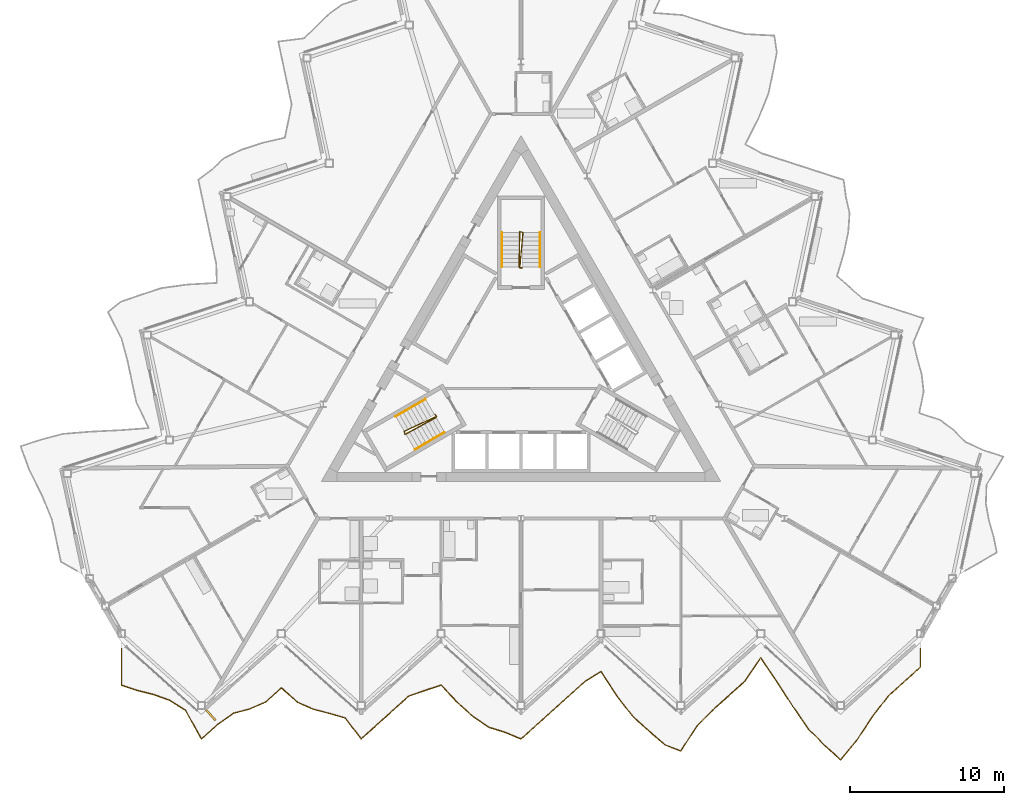
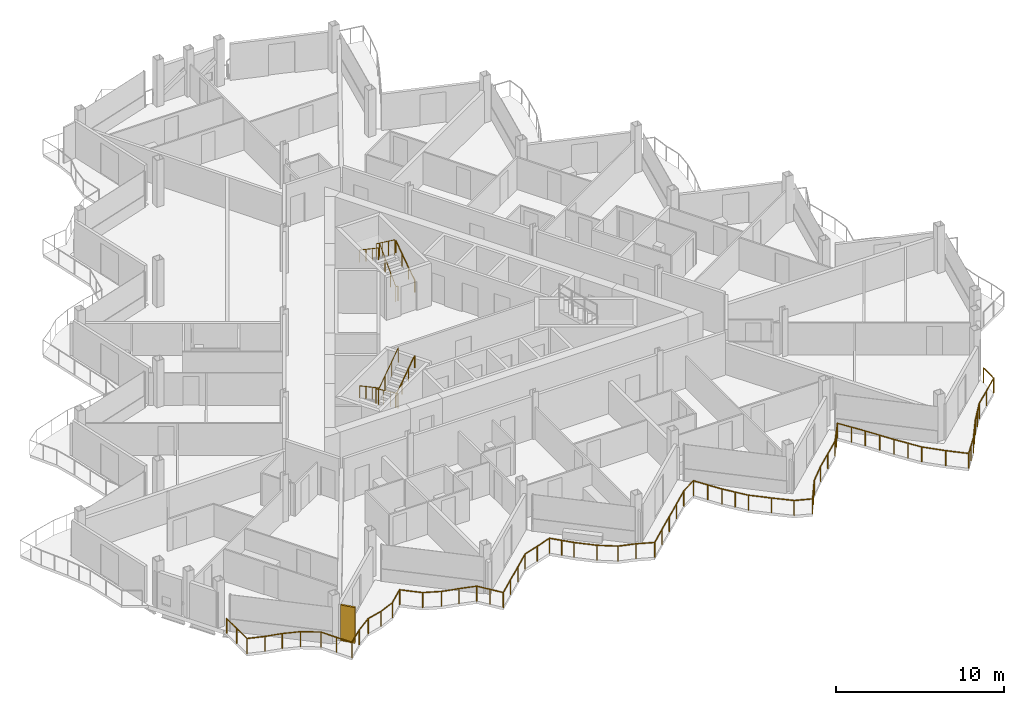
# One storey, part 22 of 26: 7 railings, 1 shading device.
"""IFC4 building model written with IfcOpenShell, lengths in metres."""

from ifc_helpers import new_model, si_unit, direction, frame, origin, origin_2d, place, context, subcontext, project, spatial, rectangle, circle, extrude, material, layer, layer_set, type_object, element, save


model = new_model("IFC4")

# Units and contexts
model_context = context("Model", 3, precision=1e-05, world=origin(), true_north=direction((0.0, 1.0)))
body_context = subcontext(model_context, "Body", "Model", "MODEL_VIEW")
ifc_project = project(units=[si_unit("LENGTHUNIT", "METRE"), si_unit("AREAUNIT", "SQUARE_METRE"), si_unit("VOLUMEUNIT", "CUBIC_METRE"), si_unit("PLANEANGLEUNIT", "RADIAN"), si_unit("MASSUNIT", "GRAM", prefix="KILO")], contexts=[model_context])

# Site, building, storey
site_placement = place(None, origin())
site = spatial("IfcSite", under=ifc_project, at=site_placement, CompositionType="ELEMENT")
building_placement = place(site_placement, origin())
building = spatial("IfcBuilding", under=site, at=building_placement, Name="Cormorant Prow Tower", CompositionType="ELEMENT")
storey_placement = place(building_placement, frame((0.0, 0.0, 374.60009765625)))
storey = spatial("IfcBuildingStorey", under=building, at=storey_placement, Name="L84", CompositionType="ELEMENT", Elevation=374.60009765625)

# Railings
ifc_material_1 = material(Name="Aluminium 6063-T6", Category="aluminium")
railing_type_1 = type_object("IfcRailingType", Name="Balcony guard 1100", PredefinedType="GUARDRAIL", material=ifc_material_1)
railing_1_placement = place(storey_placement, frame((-26.0, -18.363525390625, 0.0)))
element("IfcRailing", 1, at=railing_1_placement, inside=storey, type_object=railing_type_1, Name="Balcony guard S", PredefinedType="GUARDRAIL", context=body_context, shape_type="SweptSolid", body=[
    extrude(circle(Radius=0.02392578125, at=origin_2d()), frame((0.0, 0.0, 1.076171875), z_axis=(0.0, -1.0, 0.0), x_axis=(1.0, 0.0, 0.0)), (0.0, 0.0, 1.0), 2.40380859375),
    extrude(circle(Radius=0.02392578125, at=origin_2d()), frame((0.0, -2.40380859375, 1.076171875), z_axis=(0.949216711511, -0.314623003909, 0.0), x_axis=(0.314623003909, 0.949216711511, 0.0)), (0.0, 0.0, 1.0), 1.095703125),
    extrude(circle(Radius=0.02392578125, at=origin_2d()), frame((1.0400390625, -2.74853515625, 1.076171875), z_axis=(0.970463258891, -0.241248965062, 0.0), x_axis=(0.241248965062, 0.970463258891, 0.0)), (0.0, 0.0, 1.0), 1.07177734375),
    extrude(circle(Radius=0.02392578125, at=origin_2d()), frame((2.080078125, -3.007080078125, 1.076171875), z_axis=(0.941491643018, -0.337036327606, 0.0), x_axis=(0.337036327606, 0.941491643018, 0.0)), (0.0, 0.0, 1.0), 1.104736328125),
    extrude(circle(Radius=0.02392578125, at=origin_2d()), frame((3.1201171875, -3.37939453125, 1.076171875), z_axis=(0.847271053482, -0.531160768442, 0.0), x_axis=(0.531160768442, 0.847271053482, 0.0)), (0.0, 0.0, 1.0), 1.227294921875),
    extrude(circle(Radius=0.02392578125, at=origin_2d()), frame((4.159912109375, -4.03125, 1.076171875), z_axis=(0.48588501577, -0.874022740808, 0.0), x_axis=(0.874022740808, 0.48588501577, 0.0)), (0.0, 0.0, 1.0), 2.140625),
    extrude(circle(Radius=0.02392578125, at=origin_2d()), frame((5.199951171875, -5.902099609375, 1.076171875), z_axis=(0.743120643554, 0.66915746213, 0.0), x_axis=(-0.66915746213, 0.743120643554, 0.0)), (0.0, 0.0, 1.0), 1.399658203125),
    extrude(circle(Radius=0.02392578125, at=origin_2d()), frame((6.239990234375, -4.965576171875, 1.076171875), z_axis=(0.816160009133, 0.577825959518, 0.0), x_axis=(-0.577825959518, 0.816160009133, 0.0)), (0.0, 0.0, 1.0), 1.2744140625),
    extrude(circle(Radius=0.02392578125, at=origin_2d()), frame((7.280029296875, -4.229248046875, 1.076171875), z_axis=(0.967745006886, 0.251931740056, 0.0), x_axis=(-0.251931740056, 0.967745006886, 0.0)), (0.0, 0.0, 1.0), 1.07470703125),
    extrude(circle(Radius=0.02392578125, at=origin_2d()), frame((8.320068359375, -3.95849609375, 1.076171875), z_axis=(0.91708374588, 0.398694623796, 0.0), x_axis=(-0.398694623796, 0.91708374588, 0.0)), (0.0, 0.0, 1.0), 1.134033203125),
    extrude(circle(Radius=0.02392578125, at=origin_2d()), frame((9.360107421875, -3.50634765625, 1.076171875), z_axis=(0.743129279254, 0.669147871786, 0.0), x_axis=(-0.669147871786, 0.743129279254, 0.0)), (0.0, 0.0, 1.0), 1.399169921875),
    extrude(circle(Radius=0.02392578125, at=origin_2d()), frame((10.39990234375, -2.570068359375, 1.076171875), z_axis=(0.743207391022, -0.669061113749, 0.0), x_axis=(0.669061113749, 0.743207391022, 0.0)), (0.0, 0.0, 1.0), 1.3994140625),
    extrude(circle(Radius=0.02392578125, at=origin_2d()), frame((11.43994140625, -3.50634765625, 1.076171875), z_axis=(0.915584205274, -0.402126302363, 0.0), x_axis=(0.402126302363, 0.915584205274, 0.0)), (0.0, 0.0, 1.0), 1.135986328125),
    extrude(circle(Radius=0.02392578125, at=origin_2d()), frame((12.47998046875, -3.963134765625, 1.076171875), z_axis=(0.967578668894, -0.252569830941, 0.0), x_axis=(0.252569830941, 0.967578668894, 0.0)), (0.0, 0.0, 1.0), 1.074951171875),
    extrude(circle(Radius=0.02392578125, at=origin_2d()), frame((13.52001953125, -4.234619140625, 1.076171875), z_axis=(0.960994388174, -0.276567868521, 0.0), x_axis=(0.276567868521, 0.960994388174, 0.0)), (0.0, 0.0, 1.0), 1.082275390625),
    extrude(circle(Radius=0.02392578125, at=origin_2d()), frame((14.56005859375, -4.533935546875, 1.076171875), z_axis=(0.605169709373, -0.796096490922, 0.0), x_axis=(0.796096490922, 0.605169709373, 0.0)), (0.0, 0.0, 1.0), 1.718505859375),
    extrude(circle(Radius=0.02392578125, at=origin_2d()), frame((15.60009765625, -5.902099609375, 1.076171875), z_axis=(0.74304251841, 0.669244212403, 0.0), x_axis=(-0.669244212403, 0.74304251841, 0.0)), (0.0, 0.0, 1.0), 1.3994140625),
    extrude(circle(Radius=0.02392578125, at=origin_2d()), frame((16.639892578125, -4.965576171875, 1.076171875), z_axis=(0.743207391022, 0.669061113749, 0.0), x_axis=(-0.669061113749, 0.743207391022, 0.0)), (0.0, 0.0, 1.0), 1.3994140625),
    extrude(circle(Radius=0.02392578125, at=origin_2d()), frame((17.679931640625, -4.029296875, 1.076171875), z_axis=(0.743120643554, 0.66915746213, 0.0), x_axis=(-0.66915746213, 0.743120643554, 0.0)), (0.0, 0.0, 1.0), 1.399658203125),
    extrude(circle(Radius=0.02392578125, at=origin_2d()), frame((18.719970703125, -3.0927734375, 1.076171875), z_axis=(0.947879229776, 0.318629825596, 0.0), x_axis=(-0.318629825596, 0.947879229776, 0.0)), (0.0, 0.0, 1.0), 1.09716796875),
    extrude(circle(Radius=0.02392578125, at=origin_2d()), frame((19.760009765625, -2.7431640625, 1.076171875), z_axis=(0.949681709263, 0.313216620074, 0.0), x_axis=(-0.313216620074, 0.949681709263, 0.0)), (0.0, 0.0, 1.0), 1.09521484375),
    extrude(circle(Radius=0.02392578125, at=origin_2d()), frame((20.800048828125, -2.400146484375, 1.076171875), z_axis=(0.684983419518, -0.72855865583, 0.0), x_axis=(0.72855865583, 0.684983419518, 0.0)), (0.0, 0.0, 1.0), 1.518310546875),
    extrude(circle(Radius=0.02392578125, at=origin_2d()), frame((21.840087890625, -3.50634765625, 1.076171875), z_axis=(0.74304251841, -0.669244212403, 0.0), x_axis=(0.669244212403, 0.74304251841, 0.0)), (0.0, 0.0, 1.0), 1.3994140625),
    extrude(circle(Radius=0.02392578125, at=origin_2d()), frame((22.8798828125, -4.44287109375, 1.076171875), z_axis=(0.828532880036, -0.559940413526, 0.0), x_axis=(0.559940413526, 0.828532880036, 0.0)), (0.0, 0.0, 1.0), 1.25537109375),
    extrude(circle(Radius=0.02392578125, at=origin_2d()), frame((23.919921875, -5.145751953125, 1.076171875), z_axis=(0.955322079732, -0.295566784293, 0.0), x_axis=(0.295566784293, 0.955322079732, 0.0)), (0.0, 0.0, 1.0), 1.088623046875),
    extrude(circle(Radius=0.02392578125, at=origin_2d()), frame((24.9599609375, -5.467529296875, 1.076171875), z_axis=(0.922691974816, -0.385537961308, 0.0), x_axis=(0.385537961308, 0.922691974816, 0.0)), (0.0, 0.0, 1.0), 1.127197265625),
    extrude(circle(Radius=0.02392578125, at=origin_2d()), frame((26.0, -5.902099609375, 1.076171875), z_axis=(0.743120643554, 0.66915746213, 0.0), x_axis=(-0.66915746213, 0.743120643554, 0.0)), (0.0, 0.0, 1.0), 1.399658203125),
    extrude(circle(Radius=0.02392578125, at=origin_2d()), frame((27.0400390625, -4.965576171875, 1.076171875), z_axis=(0.743207391022, 0.669061113749, 0.0), x_axis=(-0.669061113749, 0.743207391022, 0.0)), (0.0, 0.0, 1.0), 1.3994140625),
    extrude(circle(Radius=0.02392578125, at=origin_2d()), frame((28.080078125, -4.029296875, 1.076171875), z_axis=(0.743120643554, 0.66915746213, 0.0), x_axis=(-0.66915746213, 0.743120643554, 0.0)), (0.0, 0.0, 1.0), 1.399658203125),
    extrude(circle(Radius=0.02392578125, at=origin_2d()), frame((29.1201171875, -3.0927734375, 1.076171875), z_axis=(0.743129279254, 0.669147871786, 0.0), x_axis=(-0.669147871786, 0.743129279254, 0.0)), (0.0, 0.0, 1.0), 1.399169921875),
    extrude(circle(Radius=0.02392578125, at=origin_2d()), frame((30.159912109375, -2.156494140625, 1.076171875), z_axis=(0.850009906442, 0.526766702584, 0.0), x_axis=(-0.526766702584, 0.850009906442, 0.0)), (0.0, 0.0, 1.0), 1.2236328125),
    extrude(circle(Radius=0.02392578125, at=origin_2d()), frame((31.199951171875, -1.511962890625, 1.076171875), z_axis=(0.547266669214, -0.836958298105, 0.0), x_axis=(0.836958298105, 0.547266669214, 0.0)), (0.0, 0.0, 1.0), 1.900390625),
    extrude(circle(Radius=0.02392578125, at=origin_2d()), frame((32.239990234375, -3.1025390625, 1.076171875), z_axis=(0.613043566481, -0.790049103282, 0.0), x_axis=(0.790049103282, 0.613043566481, 0.0)), (0.0, 0.0, 1.0), 1.696533203125),
    extrude(circle(Radius=0.02392578125, at=origin_2d()), frame((33.280029296875, -4.44287109375, 1.076171875), z_axis=(0.743120643554, -0.66915746213, 0.0), x_axis=(0.66915746213, 0.743120643554, 0.0)), (0.0, 0.0, 1.0), 1.399658203125),
    extrude(circle(Radius=0.02392578125, at=origin_2d()), frame((34.320068359375, -5.37939453125, 1.076171875), z_axis=(0.755162433193, -0.655537717828, 0.0), x_axis=(0.655537717828, 0.755162433193, 0.0)), (0.0, 0.0, 1.0), 1.377197265625),
    extrude(circle(Radius=0.02392578125, at=origin_2d()), frame((35.360107421875, -6.2822265625, 1.076171875), z_axis=(0.931284713773, -0.364292165566, 0.0), x_axis=(0.364292165566, 0.931284713773, 0.0)), (0.0, 0.0, 1.0), 1.116455078125),
    extrude(circle(Radius=0.02392578125, at=origin_2d()), frame((36.39990234375, -6.68896484375, 1.076171875), z_axis=(0.542765165878, 0.839884500815, 0.0), x_axis=(-0.839884500815, 0.542765165878, 0.0)), (0.0, 0.0, 1.0), 1.916259765625),
    extrude(circle(Radius=0.02392578125, at=origin_2d()), frame((37.43994140625, -5.07958984375, 1.076171875), z_axis=(0.703629676819, 0.710566870815, 0.0), x_axis=(-0.710566870815, 0.703629676819, 0.0)), (0.0, 0.0, 1.0), 1.47802734375),
    extrude(circle(Radius=0.02392578125, at=origin_2d()), frame((38.47998046875, -4.029296875, 1.076171875), z_axis=(0.743120643554, 0.66915746213, 0.0), x_axis=(-0.66915746213, 0.743120643554, 0.0)), (0.0, 0.0, 1.0), 1.399658203125),
    extrude(circle(Radius=0.02392578125, at=origin_2d()), frame((39.52001953125, -3.0927734375, 1.076171875), z_axis=(0.743207391022, 0.669061113749, 0.0), x_axis=(-0.669061113749, 0.743207391022, 0.0)), (0.0, 0.0, 1.0), 1.3994140625),
    extrude(circle(Radius=0.02392578125, at=origin_2d()), frame((40.56005859375, -2.156494140625, 1.076171875), z_axis=(0.56272184316, 0.826646313262, 0.0), x_axis=(-0.826646313262, 0.56272184316, 0.0)), (0.0, 0.0, 1.0), 1.84814453125),
    extrude(circle(Radius=0.02392578125, at=origin_2d()), frame((41.60009765625, -0.628662109375, 1.076171875), z_axis=(0.563246541597, -0.826288892204, 0.0), x_axis=(0.826288892204, 0.563246541597, 0.0)), (0.0, 0.0, 1.0), 1.84619140625),
    extrude(circle(Radius=0.02392578125, at=origin_2d()), frame((42.639892578125, -2.154052734375, 1.076171875), z_axis=(0.541547631663, -0.840670067649, 0.0), x_axis=(0.840670067649, 0.541547631663, 0.0)), (0.0, 0.0, 1.0), 1.92041015625),
    extrude(circle(Radius=0.02392578125, at=origin_2d()), frame((43.679931640625, -3.7685546875, 1.076171875), z_axis=(0.56885579327, -0.822437284213, 0.0), x_axis=(0.822437284213, 0.56885579327, 0.0)), (0.0, 0.0, 1.0), 1.828369140625),
    extrude(circle(Radius=0.02392578125, at=origin_2d()), frame((44.719970703125, -5.272216796875, 1.076171875), z_axis=(0.705945824819, -0.708265834571, 0.0), x_axis=(0.708265834571, 0.705945824819, 0.0)), (0.0, 0.0, 1.0), 1.47314453125),
    extrude(circle(Radius=0.02392578125, at=origin_2d()), frame((45.760009765625, -6.315673828125, 1.076171875), z_axis=(0.743207391022, -0.669061113749, 0.0), x_axis=(0.669061113749, 0.743207391022, 0.0)), (0.0, 0.0, 1.0), 1.3994140625),
    extrude(circle(Radius=0.02392578125, at=origin_2d()), frame((46.800048828125, -7.251953125, 1.076171875), z_axis=(0.642109751933, 0.766612722613, 0.0), x_axis=(-0.766612722613, 0.642109751933, 0.0)), (0.0, 0.0, 1.0), 1.61962890625),
    extrude(circle(Radius=0.02392578125, at=origin_2d()), frame((47.840087890625, -6.01025390625, 1.076171875), z_axis=(0.552035240511, 0.833820780044, 0.0), x_axis=(-0.833820780044, 0.552035240511, 0.0)), (0.0, 0.0, 1.0), 1.883544921875),
    extrude(circle(Radius=0.02392578125, at=origin_2d()), frame((48.8798828125, -4.439697265625, 1.076171875), z_axis=(0.611165726756, 0.791502655989, 0.0), x_axis=(-0.791502655989, 0.611165726756, 0.0)), (0.0, 0.0, 1.0), 1.70166015625),
    extrude(circle(Radius=0.02392578125, at=origin_2d()), frame((49.919921875, -3.0927734375, 1.076171875), z_axis=(0.743207391022, 0.669061113749, 0.0), x_axis=(-0.669061113749, 0.743207391022, 0.0)), (0.0, 0.0, 1.0), 1.3994140625),
    extrude(circle(Radius=0.02392578125, at=origin_2d()), frame((50.9599609375, -2.156494140625, 1.076171875), z_axis=(0.743120643554, 0.66915746213, 0.0), x_axis=(-0.66915746213, 0.743120643554, 0.0)), (0.0, 0.0, 1.0), 1.399658203125),
    extrude(circle(Radius=0.02392578125, at=origin_2d()), frame((52.0, -1.219970703125, 1.076171875), z_axis=(0.0, 1.0, 0.0), x_axis=(-1.0, 0.0, 0.0)), (0.0, 0.0, 1.0), 1.219970703125),
    extrude(circle(Radius=0.02099609375, at=origin_2d()), origin(), (0.0, 0.0, 1.0), 1.052001953125),
    extrude(circle(Radius=0.02099609375, at=origin_2d()), frame((0.0, -1.201904296875, 0.0)), (0.0, 0.0, 1.0), 1.052001953125),
    extrude(circle(Radius=0.02099609375, at=origin_2d()), frame((0.0, -2.40380859375, 0.0)), (0.0, 0.0, 1.0), 1.052001953125),
    extrude(circle(Radius=0.02099609375, at=origin_2d()), frame((1.0400390625, -2.74853515625, 0.0)), (0.0, 0.0, 1.0), 1.052001953125),
    extrude(circle(Radius=0.02099609375, at=origin_2d()), frame((2.080078125, -3.007080078125, 0.0)), (0.0, 0.0, 1.0), 1.052001953125),
    extrude(circle(Radius=0.02099609375, at=origin_2d()), frame((3.1201171875, -3.37939453125, 0.0)), (0.0, 0.0, 1.0), 1.052001953125),
    extrude(circle(Radius=0.02099609375, at=origin_2d()), frame((4.159912109375, -4.03125, 0.0)), (0.0, 0.0, 1.0), 1.052001953125),
    extrude(circle(Radius=0.02099609375, at=origin_2d()), frame((4.679931640625, -4.966796875, 0.0)), (0.0, 0.0, 1.0), 1.052001953125),
    extrude(circle(Radius=0.02099609375, at=origin_2d()), frame((5.199951171875, -5.902099609375, 0.0)), (0.0, 0.0, 1.0), 1.052001953125),
    extrude(circle(Radius=0.02099609375, at=origin_2d()), frame((6.239990234375, -4.965576171875, 0.0)), (0.0, 0.0, 1.0), 1.052001953125),
    extrude(circle(Radius=0.02099609375, at=origin_2d()), frame((7.280029296875, -4.229248046875, 0.0)), (0.0, 0.0, 1.0), 1.052001953125),
    extrude(circle(Radius=0.02099609375, at=origin_2d()), frame((8.320068359375, -3.95849609375, 0.0)), (0.0, 0.0, 1.0), 1.052001953125),
    extrude(circle(Radius=0.02099609375, at=origin_2d()), frame((9.360107421875, -3.50634765625, 0.0)), (0.0, 0.0, 1.0), 1.052001953125),
    extrude(circle(Radius=0.02099609375, at=origin_2d()), frame((10.39990234375, -2.570068359375, 0.0)), (0.0, 0.0, 1.0), 1.052001953125),
    extrude(circle(Radius=0.02099609375, at=origin_2d()), frame((11.43994140625, -3.50634765625, 0.0)), (0.0, 0.0, 1.0), 1.052001953125),
    extrude(circle(Radius=0.02099609375, at=origin_2d()), frame((12.47998046875, -3.963134765625, 0.0)), (0.0, 0.0, 1.0), 1.052001953125),
    extrude(circle(Radius=0.02099609375, at=origin_2d()), frame((13.52001953125, -4.234619140625, 0.0)), (0.0, 0.0, 1.0), 1.052001953125),
    extrude(circle(Radius=0.02099609375, at=origin_2d()), frame((14.56005859375, -4.533935546875, 0.0)), (0.0, 0.0, 1.0), 1.052001953125),
    extrude(circle(Radius=0.02099609375, at=origin_2d()), frame((15.080078125, -5.218017578125, 0.0)), (0.0, 0.0, 1.0), 1.052001953125),
    extrude(circle(Radius=0.02099609375, at=origin_2d()), frame((15.60009765625, -5.902099609375, 0.0)), (0.0, 0.0, 1.0), 1.052001953125),
    extrude(circle(Radius=0.02099609375, at=origin_2d()), frame((16.639892578125, -4.965576171875, 0.0)), (0.0, 0.0, 1.0), 1.052001953125),
    extrude(circle(Radius=0.02099609375, at=origin_2d()), frame((17.679931640625, -4.029296875, 0.0)), (0.0, 0.0, 1.0), 1.052001953125),
    extrude(circle(Radius=0.02099609375, at=origin_2d()), frame((18.719970703125, -3.0927734375, 0.0)), (0.0, 0.0, 1.0), 1.052001953125),
    extrude(circle(Radius=0.02099609375, at=origin_2d()), frame((19.760009765625, -2.7431640625, 0.0)), (0.0, 0.0, 1.0), 1.052001953125),
    extrude(circle(Radius=0.02099609375, at=origin_2d()), frame((20.800048828125, -2.400146484375, 0.0)), (0.0, 0.0, 1.0), 1.052001953125),
    extrude(circle(Radius=0.02099609375, at=origin_2d()), frame((21.320068359375, -2.953125, 0.0)), (0.0, 0.0, 1.0), 1.052001953125),
    extrude(circle(Radius=0.02099609375, at=origin_2d()), frame((21.840087890625, -3.50634765625, 0.0)), (0.0, 0.0, 1.0), 1.052001953125),
    extrude(circle(Radius=0.02099609375, at=origin_2d()), frame((22.8798828125, -4.44287109375, 0.0)), (0.0, 0.0, 1.0), 1.052001953125),
    extrude(circle(Radius=0.02099609375, at=origin_2d()), frame((23.919921875, -5.145751953125, 0.0)), (0.0, 0.0, 1.0), 1.052001953125),
    extrude(circle(Radius=0.02099609375, at=origin_2d()), frame((24.9599609375, -5.467529296875, 0.0)), (0.0, 0.0, 1.0), 1.052001953125),
    extrude(circle(Radius=0.02099609375, at=origin_2d()), frame((26.0, -5.902099609375, 0.0)), (0.0, 0.0, 1.0), 1.052001953125),
    extrude(circle(Radius=0.02099609375, at=origin_2d()), frame((27.0400390625, -4.965576171875, 0.0)), (0.0, 0.0, 1.0), 1.052001953125),
    extrude(circle(Radius=0.02099609375, at=origin_2d()), frame((28.080078125, -4.029296875, 0.0)), (0.0, 0.0, 1.0), 1.052001953125),
    extrude(circle(Radius=0.02099609375, at=origin_2d()), frame((29.1201171875, -3.0927734375, 0.0)), (0.0, 0.0, 1.0), 1.052001953125),
    extrude(circle(Radius=0.02099609375, at=origin_2d()), frame((30.159912109375, -2.156494140625, 0.0)), (0.0, 0.0, 1.0), 1.052001953125),
    extrude(circle(Radius=0.02099609375, at=origin_2d()), frame((31.199951171875, -1.511962890625, 0.0)), (0.0, 0.0, 1.0), 1.052001953125),
    extrude(circle(Radius=0.02099609375, at=origin_2d()), frame((31.719970703125, -2.30712890625, 0.0)), (0.0, 0.0, 1.0), 1.052001953125),
    extrude(circle(Radius=0.02099609375, at=origin_2d()), frame((32.239990234375, -3.1025390625, 0.0)), (0.0, 0.0, 1.0), 1.052001953125),
    extrude(circle(Radius=0.02099609375, at=origin_2d()), frame((32.760009765625, -3.772705078125, 0.0)), (0.0, 0.0, 1.0), 1.052001953125),
    extrude(circle(Radius=0.02099609375, at=origin_2d()), frame((33.280029296875, -4.44287109375, 0.0)), (0.0, 0.0, 1.0), 1.052001953125),
    extrude(circle(Radius=0.02099609375, at=origin_2d()), frame((34.320068359375, -5.37939453125, 0.0)), (0.0, 0.0, 1.0), 1.052001953125),
    extrude(circle(Radius=0.02099609375, at=origin_2d()), frame((35.360107421875, -6.2822265625, 0.0)), (0.0, 0.0, 1.0), 1.052001953125),
    extrude(circle(Radius=0.02099609375, at=origin_2d()), frame((36.39990234375, -6.68896484375, 0.0)), (0.0, 0.0, 1.0), 1.052001953125),
    extrude(circle(Radius=0.02099609375, at=origin_2d()), frame((36.919921875, -5.88427734375, 0.0)), (0.0, 0.0, 1.0), 1.052001953125),
    extrude(circle(Radius=0.02099609375, at=origin_2d()), frame((37.43994140625, -5.07958984375, 0.0)), (0.0, 0.0, 1.0), 1.052001953125),
    extrude(circle(Radius=0.02099609375, at=origin_2d()), frame((38.47998046875, -4.029296875, 0.0)), (0.0, 0.0, 1.0), 1.052001953125),
    extrude(circle(Radius=0.02099609375, at=origin_2d()), frame((39.52001953125, -3.0927734375, 0.0)), (0.0, 0.0, 1.0), 1.052001953125),
    extrude(circle(Radius=0.02099609375, at=origin_2d()), frame((40.56005859375, -2.156494140625, 0.0)), (0.0, 0.0, 1.0), 1.052001953125),
    extrude(circle(Radius=0.02099609375, at=origin_2d()), frame((41.080078125, -1.392578125, 0.0)), (0.0, 0.0, 1.0), 1.052001953125),
    extrude(circle(Radius=0.02099609375, at=origin_2d()), frame((41.60009765625, -0.628662109375, 0.0)), (0.0, 0.0, 1.0), 1.052001953125),
    extrude(circle(Radius=0.02099609375, at=origin_2d()), frame((42.1201171875, -1.391357421875, 0.0)), (0.0, 0.0, 1.0), 1.052001953125),
    extrude(circle(Radius=0.02099609375, at=origin_2d()), frame((42.639892578125, -2.154052734375, 0.0)), (0.0, 0.0, 1.0), 1.052001953125),
    extrude(circle(Radius=0.02099609375, at=origin_2d()), frame((43.159912109375, -2.96142578125, 0.0)), (0.0, 0.0, 1.0), 1.052001953125),
    extrude(circle(Radius=0.02099609375, at=origin_2d()), frame((43.679931640625, -3.7685546875, 0.0)), (0.0, 0.0, 1.0), 1.052001953125),
    extrude(circle(Radius=0.02099609375, at=origin_2d()), frame((44.199951171875, -4.5205078125, 0.0)), (0.0, 0.0, 1.0), 1.052001953125),
    extrude(circle(Radius=0.02099609375, at=origin_2d()), frame((44.719970703125, -5.272216796875, 0.0)), (0.0, 0.0, 1.0), 1.052001953125),
    extrude(circle(Radius=0.02099609375, at=origin_2d()), frame((45.760009765625, -6.315673828125, 0.0)), (0.0, 0.0, 1.0), 1.052001953125),
    extrude(circle(Radius=0.02099609375, at=origin_2d()), frame((46.800048828125, -7.251953125, 0.0)), (0.0, 0.0, 1.0), 1.052001953125),
    extrude(circle(Radius=0.02099609375, at=origin_2d()), frame((47.320068359375, -6.631103515625, 0.0)), (0.0, 0.0, 1.0), 1.052001953125),
    extrude(circle(Radius=0.02099609375, at=origin_2d()), frame((47.840087890625, -6.01025390625, 0.0)), (0.0, 0.0, 1.0), 1.052001953125),
    extrude(circle(Radius=0.02099609375, at=origin_2d()), frame((48.35986328125, -5.22509765625, 0.0)), (0.0, 0.0, 1.0), 1.052001953125),
    extrude(circle(Radius=0.02099609375, at=origin_2d()), frame((48.8798828125, -4.439697265625, 0.0)), (0.0, 0.0, 1.0), 1.052001953125),
    extrude(circle(Radius=0.02099609375, at=origin_2d()), frame((49.39990234375, -3.76611328125, 0.0)), (0.0, 0.0, 1.0), 1.052001953125),
    extrude(circle(Radius=0.02099609375, at=origin_2d()), frame((49.919921875, -3.0927734375, 0.0)), (0.0, 0.0, 1.0), 1.052001953125),
    extrude(circle(Radius=0.02099609375, at=origin_2d()), frame((50.9599609375, -2.156494140625, 0.0)), (0.0, 0.0, 1.0), 1.052001953125),
    extrude(circle(Radius=0.02099609375, at=origin_2d()), frame((52.0, -1.219970703125, 0.0)), (0.0, 0.0, 1.0), 1.052001953125),
    extrude(circle(Radius=0.02099609375, at=origin_2d()), frame((52.0, 0.0, 0.0)), (0.0, 0.0, 1.0), 1.052001953125),
])
ifc_material_2 = material(Name="Stainless steel", Category="steel")
railing_type_2 = type_object("IfcRailingType", Name="Stair guard 1100", PredefinedType="GUARDRAIL", material=ifc_material_2)
railing_2_placement = place(storey_placement, frame((-5.585205078125, -3.137939453125, 0.0)))
element("IfcRailing", 2, at=railing_2_placement, inside=storey, type_object=railing_type_2, Name="L84 ST1 stair guard 1", PredefinedType="GUARDRAIL", context=body_context, shape_type="SweptSolid", body=[
    extrude(circle(Radius=0.02392578125, at=origin_2d()), frame((0.0, 0.0, 1.076171875), z_axis=(0.501036270542, -0.865426285481, 0.0), x_axis=(0.865426285481, 0.501036270542, 0.0)), (0.0, 0.0, 1.0), 0.150146484375),
    extrude(circle(Radius=0.02392578125, at=origin_2d()), frame((0.0751953125, -0.1298828125, 1.076171875), z_axis=(-0.728641035543, -0.339941399566, 0.594577233152), x_axis=(0.422792438952, -0.906226546491, 0.0)), (0.0, 0.0, 1.0), 2.859130859375),
    extrude(circle(Radius=0.02392578125, at=origin_2d()), frame((-2.008056640625, -1.101806640625, 2.77587890625), z_axis=(0.275034262293, -0.961434425515, 0.0), x_axis=(0.961434425515, 0.275034262293, 0.0)), (0.0, 0.0, 1.0), 0.2060546875),
    extrude(circle(Radius=0.02392578125, at=origin_2d()), frame((-1.951416015625, -1.2998046875, 2.77587890625), z_axis=(0.704058451865, 0.386179398835, 0.595959032378), x_axis=(-0.480911908544, 0.87676891837, 0.0)), (0.0, 0.0, 1.0), 2.8525390625),
    extrude(circle(Radius=0.02099609375, at=origin_2d()), origin(), (0.0, 0.0, 1.0), 1.052001953125),
    extrude(circle(Radius=0.02099609375, at=origin_2d()), frame((0.0751953125, -0.1298828125, 0.0)), (0.0, 0.0, 1.0), 1.052001953125),
    extrude(circle(Radius=0.02099609375, at=origin_2d()), frame((-0.619140625, -0.453857421875, 0.566650390625)), (0.0, 0.0, 1.0), 1.052001953125),
    extrude(circle(Radius=0.02099609375, at=origin_2d()), frame((-1.313720703125, -0.77783203125, 1.13330078125)), (0.0, 0.0, 1.0), 1.052001953125),
    extrude(circle(Radius=0.02099609375, at=origin_2d()), frame((-2.008056640625, -1.101806640625, 1.699951171875)), (0.0, 0.0, 1.0), 1.052001953125),
    extrude(circle(Radius=0.02099609375, at=origin_2d()), frame((-1.951416015625, -1.2998046875, 1.699951171875)), (0.0, 0.0, 1.0), 1.052001953125),
    extrude(circle(Radius=0.02099609375, at=origin_2d()), frame((-1.281982421875, -0.9326171875, 2.2666015625)), (0.0, 0.0, 1.0), 1.052001953125),
    extrude(circle(Radius=0.02099609375, at=origin_2d()), frame((-0.612548828125, -0.5654296875, 2.833251953125)), (0.0, 0.0, 1.0), 1.052001953125),
    extrude(circle(Radius=0.02099609375, at=origin_2d()), frame((0.056884765625, -0.1982421875, 3.39990234375)), (0.0, 0.0, 1.0), 1.052001953125),
])
railing_3_placement = place(storey_placement, frame((0.074951171875, 6.40576171875, 0.0)))
element("IfcRailing", 3, at=railing_3_placement, inside=storey, type_object=railing_type_2, Name="L84 ST3 stair guard 1", PredefinedType="GUARDRAIL", context=body_context, shape_type="SweptSolid", body=[
    extrude(circle(Radius=0.02392578125, at=origin_2d()), frame((0.0, 0.0, 1.076171875), z_axis=(-1.0, 0.0, 0.0), x_axis=(0.0, -1.0, 0.0)), (0.0, 0.0, 1.0), 0.14990234375),
    extrude(circle(Radius=0.02392578125, at=origin_2d()), frame((-0.14990234375, 0.0, 1.076171875), z_axis=(0.069936542308, 0.800982621307, 0.594588698525), x_axis=(-0.996209839609, 0.086982500921, 0.0)), (0.0, 0.0, 1.0), 2.859130859375),
    extrude(circle(Radius=0.02392578125, at=origin_2d()), frame((0.050048828125, 2.2900390625, 2.77587890625), z_axis=(-0.970072785993, 0.242814311512, 0.0), x_axis=(-0.242814311512, -0.970072785993, 0.0)), (0.0, 0.0, 1.0), 0.2060546875),
    extrude(circle(Radius=0.02392578125, at=origin_2d()), frame((-0.14990234375, 2.340087890625, 2.77587890625), z_axis=(-0.017545750742, -0.80282508275, 0.595956402045), x_axis=(0.999761264773, -0.0218497931, 0.0)), (0.0, 0.0, 1.0), 2.8525390625),
    extrude(circle(Radius=0.02099609375, at=origin_2d()), origin(), (0.0, 0.0, 1.0), 1.052001953125),
    extrude(circle(Radius=0.02099609375, at=origin_2d()), frame((-0.14990234375, 0.0, 0.0)), (0.0, 0.0, 1.0), 1.052001953125),
    extrude(circle(Radius=0.02099609375, at=origin_2d()), frame((-0.083251953125, 0.763427734375, 0.566650390625)), (0.0, 0.0, 1.0), 1.052001953125),
    extrude(circle(Radius=0.02099609375, at=origin_2d()), frame((-0.0166015625, 1.526611328125, 1.13330078125)), (0.0, 0.0, 1.0), 1.052001953125),
    extrude(circle(Radius=0.02099609375, at=origin_2d()), frame((0.050048828125, 2.2900390625, 1.699951171875)), (0.0, 0.0, 1.0), 1.052001953125),
    extrude(circle(Radius=0.02099609375, at=origin_2d()), frame((-0.14990234375, 2.340087890625, 1.699951171875)), (0.0, 0.0, 1.0), 1.052001953125),
    extrude(circle(Radius=0.02099609375, at=origin_2d()), frame((-0.16650390625, 1.57666015625, 2.2666015625)), (0.0, 0.0, 1.0), 1.052001953125),
    extrude(circle(Radius=0.02099609375, at=origin_2d()), frame((-0.183349609375, 0.8134765625, 2.833251953125)), (0.0, 0.0, 1.0), 1.052001953125),
    extrude(circle(Radius=0.02099609375, at=origin_2d()), frame((-0.199951171875, 0.050048828125, 3.39990234375)), (0.0, 0.0, 1.0), 1.052001953125),
])
ifc_material_3 = material(Name="Stainless steel", Category="steel")
railing_type_3 = type_object("IfcRailingType", Name="Stair handrail 900", PredefinedType="HANDRAIL", material=ifc_material_3)
railing_4_placement = place(storey_placement, frame((-6.212890625, -2.150634765625, 0.188720703125)))
element("IfcRailing", 4, at=railing_4_placement, inside=storey, type_object=railing_type_3, Name="L84 ST1 stair handrail 1", PredefinedType="HANDRAIL", context=body_context, shape_type="SweptSolid", body=[
    extrude(circle(Radius=0.02392578125, at=origin_2d()), frame((0.0, 0.0, 0.8759765625), z_axis=(-0.717940317343, -0.414446543626, 0.55928147047), x_axis=(0.49994888933, -0.866054910533, 0.0)), (0.0, 0.0, 1.0), 2.7021484375),
    extrude(circle(Radius=0.02099609375, at=origin_2d()), origin(), (0.0, 0.0, 1.0), 0.851806640625),
    extrude(circle(Radius=0.02099609375, at=origin_2d()), frame((-0.646728515625, -0.373291015625, 0.503662109375)), (0.0, 0.0, 1.0), 0.851806640625),
    extrude(circle(Radius=0.02099609375, at=origin_2d()), frame((-1.293212890625, -0.74658203125, 1.007568359375)), (0.0, 0.0, 1.0), 0.851806640625),
    extrude(circle(Radius=0.02099609375, at=origin_2d()), frame((-1.93994140625, -1.119873046875, 1.51123046875)), (0.0, 0.0, 1.0), 0.851806640625),
])
railing_5_placement = place(storey_placement, frame((-6.90869140625, -5.42529296875, 1.888671875)))
element("IfcRailing", 5, at=railing_5_placement, inside=storey, type_object=railing_type_3, Name="L84 ST1 stair handrail 2", PredefinedType="HANDRAIL", context=body_context, shape_type="SweptSolid", body=[
    extrude(circle(Radius=0.02392578125, at=origin_2d()), frame((0.0, 0.0, 0.8759765625), z_axis=(0.717869644322, 0.414548260308, 0.559296802813), x_axis=(-0.500077830873, 0.865980463445, 0.0)), (0.0, 0.0, 1.0), 2.701904296875),
    extrude(circle(Radius=0.02099609375, at=origin_2d()), origin(), (0.0, 0.0, 1.0), 0.851806640625),
    extrude(circle(Radius=0.02099609375, at=origin_2d()), frame((0.646484375, 0.373291015625, 0.503662109375)), (0.0, 0.0, 1.0), 0.851806640625),
    extrude(circle(Radius=0.02099609375, at=origin_2d()), frame((1.293212890625, 0.746826171875, 1.007568359375)), (0.0, 0.0, 1.0), 0.851806640625),
    extrude(circle(Radius=0.02099609375, at=origin_2d()), frame((1.939697265625, 1.1201171875, 1.51123046875)), (0.0, 0.0, 1.0), 0.851806640625),
])
railing_6_placement = place(storey_placement, frame((1.243896484375, 6.455810546875, 0.188720703125)))
element("IfcRailing", 6, at=railing_6_placement, inside=storey, type_object=railing_type_3, Name="L84 ST3 stair handrail 1", PredefinedType="HANDRAIL", context=body_context, shape_type="SweptSolid", body=[
    extrude(circle(Radius=0.02392578125, at=origin_2d()), frame((0.0, 0.0, 0.8759765625), z_axis=(0.0, 0.828979582247, 0.559278868023), x_axis=(-1.0, 0.0, 0.0)), (0.0, 0.0, 1.0), 2.7021484375),
    extrude(circle(Radius=0.02099609375, at=origin_2d()), origin(), (0.0, 0.0, 1.0), 0.851806640625),
    extrude(circle(Radius=0.02099609375, at=origin_2d()), frame((0.0, 0.74658203125, 0.503662109375)), (0.0, 0.0, 1.0), 0.851806640625),
    extrude(circle(Radius=0.02099609375, at=origin_2d()), frame((0.0, 1.493408203125, 1.007568359375)), (0.0, 0.0, 1.0), 0.851806640625),
    extrude(circle(Radius=0.02099609375, at=origin_2d()), frame((0.0, 2.239990234375, 1.51123046875)), (0.0, 0.0, 1.0), 0.851806640625),
])
railing_7_placement = place(storey_placement, frame((-1.243896484375, 8.69580078125, 1.888671875)))
element("IfcRailing", 7, at=railing_7_placement, inside=storey, type_object=railing_type_3, Name="L84 ST3 stair handrail 2", PredefinedType="HANDRAIL", context=body_context, shape_type="SweptSolid", body=[
    extrude(circle(Radius=0.02392578125, at=origin_2d()), frame((0.0, 0.0, 0.8759765625), z_axis=(0.0, -0.828979582247, 0.559278868023), x_axis=(1.0, 0.0, 0.0)), (0.0, 0.0, 1.0), 2.7021484375),
    extrude(circle(Radius=0.02099609375, at=origin_2d()), origin(), (0.0, 0.0, 1.0), 0.851806640625),
    extrude(circle(Radius=0.02099609375, at=origin_2d()), frame((0.0, -0.74658203125, 0.503662109375)), (0.0, 0.0, 1.0), 0.851806640625),
    extrude(circle(Radius=0.02099609375, at=origin_2d()), frame((0.0, -1.493408203125, 1.007568359375)), (0.0, 0.0, 1.0), 0.851806640625),
    extrude(circle(Radius=0.02099609375, at=origin_2d()), frame((0.0, -2.239990234375, 1.51123046875)), (0.0, 0.0, 1.0), 0.851806640625),
])

# Shading device
ifc_material_4 = material(Name="Terracotta", Category="masonry")
ifc_layer = layer(ifc_material_4, 0.1201171875)
ifc_layer_set = layer_set([ifc_layer], Name="Terracotta")
shading_device_type = type_object("IfcShadingDeviceType", Name="Terracotta baguette fin 120x900x2600", PredefinedType="USERDEFINED", material=ifc_layer_set)
shading_device_placement = place(storey_placement, frame((-20.182373046875, -22.715087890625, -0.000244140625), z_axis=(0.0, 0.0, 1.0), x_axis=(0.743144827638, 0.669130603959, 0.0)))
element("IfcShadingDevice", 8, at=shading_device_placement, inside=storey, type_object=shading_device_type, Name="Baguette fin S01", ObjectType="BAGUETTE", PredefinedType="USERDEFINED", context=body_context, shape_type="SweptSolid", body=[
    extrude(rectangle(XDim=0.1201171875, YDim=0.89990234375, at=origin_2d()), origin(), (0.0, 0.0, 1.0), 2.60009765625),
])

save(model, "model.ifc")
